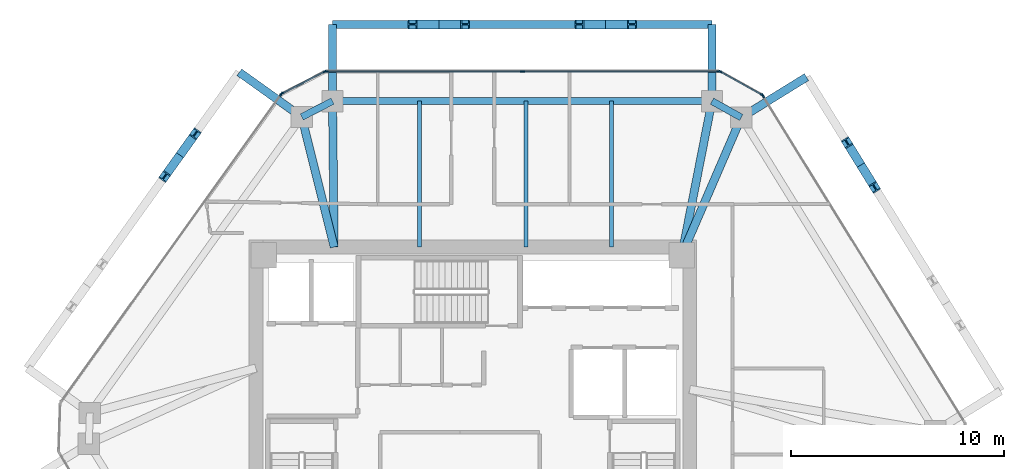
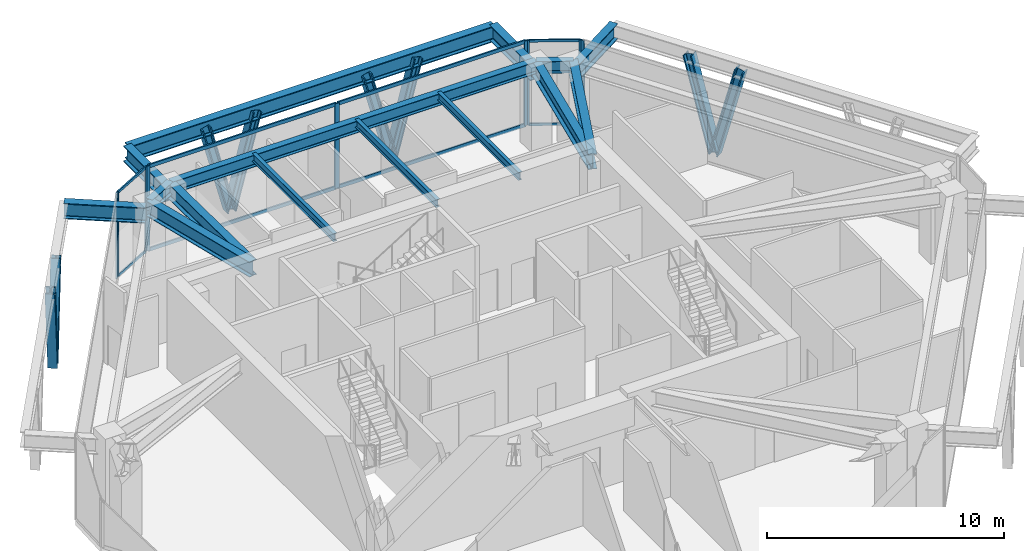
# One storey, part 6 of 12: 25 members, 15 beams, 5 elements without a shape of their own.
"""IFC4 building model written with IfcOpenShell, lengths in metres."""

from ifc_helpers import new_model, si_unit, direction, frame, origin, origin_2d, place, context, subcontext, project, spatial, rectangle, i_section, extrude, source, transform, mapped, material, layer, layer_set, material_profile, profile_set, type_object, type_shapes, element, aggregate, save


model = new_model("IFC4")

# Units and contexts
model_context = context("Model", 3, precision=1e-05, world=origin(), true_north=direction((0.0, 1.0)))
body_context = subcontext(model_context, "Body", "Model", "MODEL_VIEW")
ifc_project = project(units=[si_unit("LENGTHUNIT", "METRE"), si_unit("AREAUNIT", "SQUARE_METRE"), si_unit("VOLUMEUNIT", "CUBIC_METRE"), si_unit("PLANEANGLEUNIT", "RADIAN"), si_unit("MASSUNIT", "GRAM", prefix="KILO")], contexts=[model_context])

# Site, building, storey
site_placement = place(None, origin())
site = spatial("IfcSite", under=ifc_project, at=site_placement, CompositionType="ELEMENT")
building_placement = place(site_placement, origin())
building = spatial("IfcBuilding", under=site, at=building_placement, Name="Durnholm Broadcast Tower", CompositionType="ELEMENT")
storey_placement = place(building_placement, frame((0.0, 0.0, 162.60009765625)))
storey = spatial("IfcBuildingStorey", under=building, at=storey_placement, Name="L44", CompositionType="ELEMENT", Elevation=162.60009765625)

# Beams
ifc_material_1 = material(Name="Steel ASTM A992 Grade 50", Category="steel")
ifc_material_profile_1 = material_profile(ifc_material_1, i_section(OverallWidth=0.385009765625, OverallDepth=0.802978515625, WebThickness=0.023681640625, FlangeThickness=0.0419921875, FilletRadius=0.032958984375, at=origin_2d()), Name="W30X261")
ifc_profile_set_1 = profile_set([ifc_material_profile_1], Name="Steel ASTM A992 Grade 50")
beam_type_1 = type_object("IfcBeamType", Name="BM-EXO-TIE", PredefinedType="USERDEFINED", material=ifc_profile_set_1)
shared_shape_1 = source(origin(), body_context, "Body", "SweptSolid", [
    extrude(i_section(OverallWidth=0.385009765625, OverallDepth=0.802978515625, WebThickness=0.023681640625, FlangeThickness=0.0419921875, FilletRadius=0.032958984375, at=origin_2d()), origin(), (0.0, 0.0, 1.0), 3.4560546875),
])
for number, where, z_axis, x_axis, name in (
    (1, (12.713134765625, 14.327880859375, 3.6083984375), (0.850662348375, 0.525712439512, 0.0), (-0.525712439512, 0.850662348375, 0.0), "L44 exoskeleton stand-off tie bracket F3.2"),
    (2, (-8.138916015625, 14.360107421875, 3.6083984375), (-0.813079048773, 0.582153296346, 0.0), (-0.582153296346, -0.813079048773, 0.0), "L44 exoskeleton stand-off tie bracket F5.1"),
):
    element("IfcBeam", number, at=place(storey_placement, frame(where, z_axis=z_axis, x_axis=x_axis)), inside=storey, type_object=beam_type_1, Name=name, ObjectType="GIRDER", PredefinedType="USERDEFINED", context=body_context, shape_type="MappedRepresentation", body=[
        mapped(shared_shape_1, transform((0.0, 0.0, 0.0), x_axis=(1.0, 0.0, 0.0), y_axis=(0.0, 1.0, 0.0), z_axis=(0.0, 0.0, 1.0), scale=1.0)),
    ])
shared_shape_2 = source(origin(), body_context, "Body", "SweptSolid", [
    extrude(i_section(OverallWidth=0.385009765625, OverallDepth=0.802978515625, WebThickness=0.023681640625, FlangeThickness=0.0419921875, FilletRadius=0.032958984375, at=origin_2d()), origin(), (0.0, 0.0, 1.0), 3.455810546875),
])
for number, where, z_axis, x_axis, name in (
    (3, (11.217529296875, 15.162109375, 3.6083984375), (0.0, 1.0, 0.0), (-1.0, 0.0, 0.0), "L44 exoskeleton stand-off tie bracket F4.1"),
    (4, (-6.57861328125, 15.162109375, 3.6083984375), (0.0, 1.0, 0.0), (-1.0, 0.0, 0.0), "L44 exoskeleton stand-off tie bracket F4.2"),
):
    element("IfcBeam", number, at=place(storey_placement, frame(where, z_axis=z_axis, x_axis=x_axis)), inside=storey, type_object=beam_type_1, Name=name, ObjectType="GIRDER", PredefinedType="USERDEFINED", context=body_context, shape_type="MappedRepresentation", body=[
        mapped(shared_shape_2, transform((0.0, 0.0, 0.0), x_axis=(1.0, 0.0, 0.0), y_axis=(0.0, 1.0, 0.0), z_axis=(0.0, 0.0, 1.0), scale=1.0)),
    ])
ifc_material_profile_2 = material_profile(ifc_material_1, i_section(OverallWidth=0.3251953125, OverallDepth=0.6162109375, WebThickness=0.013916015625, FlangeThickness=0.021484375, FilletRadius=0.02783203125, at=origin_2d()), Name="W24X117")
ifc_profile_set_2 = profile_set([ifc_material_profile_2], Name="Steel ASTM A992 Grade 50")
beam_type_2 = type_object("IfcBeamType", Name="STL-SP-W24X117", PredefinedType="SPANDREL", material=ifc_profile_set_2)
shared_shape_3 = source(origin(), body_context, "Body", "SweptSolid", [
    extrude(i_section(OverallWidth=0.3251953125, OverallDepth=0.6162109375, WebThickness=0.013916015625, FlangeThickness=0.021484375, FilletRadius=0.02783203125, at=origin_2d()), origin(), (0.0, 0.0, 1.0), 1.62255859375),
])
beam_1_placement = place(storey_placement, frame((-8.021728515625, 14.2763671875, 4.036865234375), z_axis=(0.889406668864, 0.45711680934, 0.0), x_axis=(-0.45711680934, 0.889406668864, 0.0)))
element("IfcBeam", 5, at=beam_1_placement, inside=storey, type_object=beam_type_2, Name="L44 perimeter spandrel girder 04", PredefinedType="SPANDREL", context=body_context, shape_type="MappedRepresentation", body=[
    mapped(shared_shape_3, transform((0.0, 0.0, 0.0), x_axis=(1.0, 0.0, 0.0), y_axis=(0.0, 1.0, 0.0), z_axis=(0.0, 0.0, 1.0), scale=1.0)),
])
shared_shape_4 = source(origin(), body_context, "Body", "SweptSolid", [
    extrude(i_section(OverallWidth=0.3251953125, OverallDepth=0.6162109375, WebThickness=0.013916015625, FlangeThickness=0.021484375, FilletRadius=0.02783203125, at=origin_2d()), origin(), (0.0, 0.0, 1.0), 17.796142578125),
])
beam_2_placement = place(storey_placement, frame((-6.57861328125, 15.01806640625, 4.036865234375), z_axis=(1.0, 0.0, 0.0), x_axis=(0.0, 1.0, 0.0)))
element("IfcBeam", 6, at=beam_2_placement, inside=storey, type_object=beam_type_2, Name="L44 perimeter spandrel girder 05", PredefinedType="SPANDREL", context=body_context, shape_type="MappedRepresentation", body=[
    mapped(shared_shape_4, transform((0.0, 0.0, 0.0), x_axis=(1.0, 0.0, 0.0), y_axis=(0.0, 1.0, 0.0), z_axis=(0.0, 0.0, 1.0), scale=1.0)),
])
shared_shape_5 = source(origin(), body_context, "Body", "SweptSolid", [
    extrude(i_section(OverallWidth=0.3251953125, OverallDepth=0.6162109375, WebThickness=0.013916015625, FlangeThickness=0.021484375, FilletRadius=0.02783203125, at=origin_2d()), origin(), (0.0, 0.0, 1.0), 1.572509765625),
])
type_shapes(beam_type_2, [shared_shape_3, shared_shape_4, shared_shape_5])
beam_3_placement = place(storey_placement, frame((11.217529296875, 15.01806640625, 4.036865234375), z_axis=(0.873365144476, -0.487066037017, 0.0), x_axis=(0.487066037017, 0.873365144476, 0.0)))
element("IfcBeam", 7, at=beam_3_placement, inside=storey, type_object=beam_type_2, Name="L44 perimeter spandrel girder 06", PredefinedType="SPANDREL", context=body_context, shape_type="MappedRepresentation", body=[
    mapped(shared_shape_5, transform((0.0, 0.0, 0.0), x_axis=(1.0, 0.0, 0.0), y_axis=(0.0, 1.0, 0.0), z_axis=(0.0, 0.0, 1.0), scale=1.0)),
])
ifc_material_profile_3 = material_profile(ifc_material_1, i_section(OverallWidth=0.380615234375, OverallDepth=0.773193359375, WebThickness=0.0166015625, FlangeThickness=0.027099609375, FilletRadius=0.032958984375, at=origin_2d()), Name="W30X173")
ifc_profile_set_3 = profile_set([ifc_material_profile_3], Name="Steel ASTM A992 Grade 50")
beam_type_3 = type_object("IfcBeamType", Name="STL-GR-W30X173", PredefinedType="USERDEFINED", material=ifc_profile_set_3)
shared_shape_6 = source(origin(), body_context, "Body", "SweptSolid", [
    extrude(i_section(OverallWidth=0.380615234375, OverallDepth=0.773193359375, WebThickness=0.0166015625, FlangeThickness=0.027099609375, FilletRadius=0.032958984375, at=origin_2d()), origin(), (0.0, 0.0, 1.0), 7.35595703125),
])
beam_4_placement = place(storey_placement, frame((9.800048828125, 7.800048828125, 3.958251953125), z_axis=(0.192700221893, 0.981257674865, 0.0), x_axis=(-0.981257674865, 0.192700221893, 0.0)))
element("IfcBeam", 8, at=beam_4_placement, inside=storey, type_object=beam_type_3, Name="L44 radial primary floor girder 06", ObjectType="GIRDER", PredefinedType="USERDEFINED", context=body_context, shape_type="MappedRepresentation", body=[
    mapped(shared_shape_6, transform((0.0, 0.0, 0.0), x_axis=(1.0, 0.0, 0.0), y_axis=(0.0, 1.0, 0.0), z_axis=(0.0, 0.0, 1.0), scale=1.0)),
])
shared_shape_7 = source(origin(), body_context, "Body", "SweptSolid", [
    extrude(i_section(OverallWidth=0.380615234375, OverallDepth=0.773193359375, WebThickness=0.0166015625, FlangeThickness=0.027099609375, FilletRadius=0.032958984375, at=origin_2d()), origin(), (0.0, 0.0, 1.0), 7.02978515625),
])
beam_5_placement = place(storey_placement, frame((9.800048828125, 7.800048828125, 3.958251953125), z_axis=(0.396989434191, 0.91782317967, 0.0), x_axis=(-0.91782317967, 0.396989434191, 0.0)))
element("IfcBeam", 9, at=beam_5_placement, inside=storey, type_object=beam_type_3, Name="L44 radial primary floor girder 07", ObjectType="GIRDER", PredefinedType="USERDEFINED", context=body_context, shape_type="MappedRepresentation", body=[
    mapped(shared_shape_7, transform((0.0, 0.0, 0.0), x_axis=(1.0, 0.0, 0.0), y_axis=(0.0, 1.0, 0.0), z_axis=(0.0, 0.0, 1.0), scale=1.0)),
])
shared_shape_8 = source(origin(), body_context, "Body", "SweptSolid", [
    extrude(i_section(OverallWidth=0.385009765625, OverallDepth=0.802978515625, WebThickness=0.023681640625, FlangeThickness=0.0419921875, FilletRadius=0.032958984375, at=origin_2d()), origin(), (0.0, 0.0, 1.0), 17.796142578125),
])
type_shapes(beam_type_1, [shared_shape_1, shared_shape_2, shared_shape_8])
beam_6_placement = place(storey_placement, frame((11.217529296875, 18.617919921875, 3.6083984375), z_axis=(-1.0, 0.0, 0.0), x_axis=(0.0, -1.0, 0.0)))
element("IfcBeam", 10, at=beam_6_placement, inside=storey, type_object=beam_type_1, Name="L44 exoskeleton collector spandrel F4", PredefinedType="SPANDREL", context=body_context, shape_type="MappedRepresentation", body=[
    mapped(shared_shape_8, transform((0.0, 0.0, 0.0), x_axis=(1.0, 0.0, 0.0), y_axis=(0.0, 1.0, 0.0), z_axis=(0.0, 0.0, 1.0), scale=1.0)),
])
shared_shape_9 = source(origin(), body_context, "Body", "SweptSolid", [
    extrude(i_section(OverallWidth=0.380615234375, OverallDepth=0.773193359375, WebThickness=0.0166015625, FlangeThickness=0.027099609375, FilletRadius=0.032958984375, at=origin_2d()), origin(), (0.0, 0.0, 1.0), 6.288330078125),
])
beam_7_placement = place(storey_placement, frame((-6.5, 8.175048828125, 3.958251953125), z_axis=(-0.241996604408, 0.970277096223, 0.0), x_axis=(-0.970277096223, -0.241996604408, 0.0)))
element("IfcBeam", 11, at=beam_7_placement, inside=storey, type_object=beam_type_3, Name="L44 radial primary floor girder 04", ObjectType="GIRDER", PredefinedType="USERDEFINED", context=body_context, shape_type="MappedRepresentation", body=[
    mapped(shared_shape_9, transform((0.0, 0.0, 0.0), x_axis=(1.0, 0.0, 0.0), y_axis=(0.0, 1.0, 0.0), z_axis=(0.0, 0.0, 1.0), scale=1.0)),
])
shared_shape_10 = source(origin(), body_context, "Body", "SweptSolid", [
    extrude(i_section(OverallWidth=0.380615234375, OverallDepth=0.773193359375, WebThickness=0.0166015625, FlangeThickness=0.027099609375, FilletRadius=0.032958984375, at=origin_2d()), origin(), (0.0, 0.0, 1.0), 6.843505859375),
])
type_shapes(beam_type_3, [shared_shape_6, shared_shape_7, shared_shape_9, shared_shape_10])
beam_8_placement = place(storey_placement, frame((-6.5, 8.175048828125, 3.958251953125), z_axis=(-0.011487343604, 0.999934018292, 0.0), x_axis=(-0.999934018292, -0.011487343604, 0.0)))
element("IfcBeam", 12, at=beam_8_placement, inside=storey, type_object=beam_type_3, Name="L44 radial primary floor girder 05", ObjectType="GIRDER", PredefinedType="USERDEFINED", context=body_context, shape_type="MappedRepresentation", body=[
    mapped(shared_shape_10, transform((0.0, 0.0, 0.0), x_axis=(1.0, 0.0, 0.0), y_axis=(0.0, 1.0, 0.0), z_axis=(0.0, 0.0, 1.0), scale=1.0)),
])
ifc_material_profile_4 = material_profile(ifc_material_1, i_section(OverallWidth=0.177734375, OverallDepth=0.40673828125, WebThickness=0.0078125, FlangeThickness=0.0126953125, FilletRadius=0.01904296875, at=origin_2d()), Name="W16X40")
ifc_profile_set_4 = profile_set([ifc_material_profile_4], Name="Steel ASTM A992 Grade 50")
beam_type_4 = type_object("IfcBeamType", Name="STL-BJ-W16X40", PredefinedType="JOIST", material=ifc_profile_set_4)
shared_shape_11 = source(origin(), body_context, "Body", "SweptSolid", [
    extrude(i_section(OverallWidth=0.177734375, OverallDepth=0.40673828125, WebThickness=0.0078125, FlangeThickness=0.0126953125, FilletRadius=0.01904296875, at=origin_2d()), origin(), (0.0, 0.0, 1.0), 6.843017578125),
])
type_shapes(beam_type_4, [shared_shape_11])
for number, where, z_axis, x_axis, name in (
    (13, (-2.5, 8.175048828125, 4.1416015625), (0.0, 1.0, 0.0), (-1.0, 0.0, 0.0), "L44 secondary floor joist 5.2"),
    (14, (2.5, 8.175048828125, 4.1416015625), (0.0, 1.0, 0.0), (-1.0, 0.0, 0.0), "L44 secondary floor joist 6.2"),
    (15, (6.5, 8.175048828125, 4.1416015625), (0.0, 1.0, 0.0), (-1.0, 0.0, 0.0), "L44 secondary floor joist 7.2"),
):
    element("IfcBeam", number, at=place(storey_placement, frame(where, z_axis=z_axis, x_axis=x_axis)), inside=storey, type_object=beam_type_4, Name=name, PredefinedType="JOIST", context=body_context, shape_type="MappedRepresentation", body=[
        mapped(shared_shape_11, transform((0.0, 0.0, 0.0), x_axis=(1.0, 0.0, 0.0), y_axis=(0.0, 1.0, 0.0), z_axis=(0.0, 0.0, 1.0), scale=1.0)),
    ])

# Members
ifc_material_2 = material(Name="Steel ASTM A913 Grade 65", Category="steel")
ifc_material_profile_5 = material_profile(ifc_material_2, i_section(OverallWidth=0.412109375, OverallDepth=0.434814453125, WebThickness=0.035888671875, FlangeThickness=0.057373046875, FilletRadius=0.030517578125, at=origin_2d()), Name="W14X311")
ifc_profile_set_5 = profile_set([ifc_material_profile_5], Name="Steel ASTM A913 Grade 65")
member_type_1 = type_object("IfcMemberType", Name="STL-DG-W14X311", PredefinedType="BRACE", material=ifc_profile_set_5)
shared_shape_12 = source(origin(), body_context, "Body", "SweptSolid", [
    extrude(i_section(OverallWidth=0.412109375, OverallDepth=0.434814453125, WebThickness=0.035888671875, FlangeThickness=0.057373046875, FilletRadius=0.030517578125, at=origin_2d()), origin(), (0.0, 0.0, 1.0), 4.83984375),
])
type_shapes(member_type_1, [shared_shape_12])
for number, where, z_axis, x_axis, name in (
    (16, (18.2001953125, 12.023193359375, -1.071533203125), (0.133981278258, -0.216811571518, 0.96697557339), (0.85067825406, 0.525686701439, 0.0), "L44 stand-off diagrid brace F3.D2.1"),
    (17, (18.2001953125, 12.023193359375, -1.071533203125), (-0.134027884643, 0.216906249139, 0.966947881337), (-0.850699125742, -0.525652924906, 0.0), "L44 stand-off diagrid brace F3.D2.2"),
    (18, (6.234619140625, 18.617919921875, -1.071533203125), (0.254942691597, 0.0, 0.966956164467), (0.0, 1.0, 0.0), "L44 stand-off diagrid brace F4.D1.1"),
    (19, (6.234619140625, 18.617919921875, -1.071533203125), (-0.254942691597, 0.0, 0.966956164467), (0.0, -1.0, 0.0), "L44 stand-off diagrid brace F4.D1.2"),
    (20, (-1.595703125, 18.617919921875, -1.071533203125), (0.254942691597, 0.0, 0.966956164467), (0.0, 1.0, 0.0), "L44 stand-off diagrid brace F4.D2.1"),
    (21, (-1.595703125, 18.617919921875, -1.071533203125), (-0.254942691597, 0.0, 0.966956164467), (0.0, -1.0, 0.0), "L44 stand-off diagrid brace F4.D2.2"),
    (22, (-13.731689453125, 12.485595703125, -1.071533203125), (0.148406193474, 0.207274319845, 0.966960680727), (-0.813077820009, 0.582155012526, 0.0), "L44 stand-off diagrid brace F5.D1.1"),
    (23, (-13.731689453125, 12.485595703125, -1.071533203125), (-0.148406193474, -0.207274319845, 0.966960680727), (0.813077820009, -0.582155012526, 0.0), "L44 stand-off diagrid brace F5.D1.2"),
):
    element("IfcMember", number, at=place(storey_placement, frame(where, z_axis=z_axis, x_axis=x_axis)), inside=storey, type_object=member_type_1, Name=name, PredefinedType="BRACE", context=body_context, shape_type="MappedRepresentation", body=[
        mapped(shared_shape_12, transform((0.0, 0.0, 0.0), x_axis=(1.0, 0.0, 0.0), y_axis=(0.0, 1.0, 0.0), z_axis=(0.0, 0.0, 1.0), scale=1.0)),
    ])

# Curtain wall, members
ifc_material_3 = material(Name="Aluminium and Solar Control IGU", Category="aluminium")
ifc_layer_1 = layer(ifc_material_3, 0.1650390625)
ifc_layer_set_1 = layer_set([ifc_layer_1], Name="Aluminium and Solar Control IGU")
curtain_wall_type_1 = type_object("IfcCurtainWallType", Name="CW-SYS-5", PredefinedType="NOTDEFINED", material=ifc_layer_set_1)
curtain_wall_1_placement = place(storey_placement, origin())
curtain_wall_1 = element("IfcCurtainWall", 24, at=curtain_wall_1_placement, inside=storey, type_object=curtain_wall_type_1, Name="L44 curtain wall CW-CORNER CW-L44-CRN-03", PredefinedType="NOTDEFINED")
ifc_material_4 = material(Name="Aluminium 6063-T6", Category="aluminium")
ifc_material_profile_6 = material_profile(ifc_material_4, rectangle(XDim=0.06494140625, YDim=0.1298828125, at=origin_2d()), Name="CWT65X130")
ifc_profile_set_6 = profile_set([ifc_material_profile_6], Name="Aluminium 6063-T6")
member_type_2 = type_object("IfcMemberType", Name="CW-SYS-5-TRN", PredefinedType="USERDEFINED", material=ifc_profile_set_6)
shared_shape_13 = source(origin(), body_context, "Body", "SweptSolid", [
    extrude(rectangle(XDim=0.06494140625, YDim=0.1298828125, at=origin_2d()), origin(), (0.0, 0.0, 1.0), 2.169921875),
])
type_shapes(member_type_2, [shared_shape_13])
member_1_placement = place(storey_placement, frame((-8.9052734375, 15.396484375, 0.032470703125), z_axis=(0.889468148591, 0.456997169185, 0.0), x_axis=(-0.456997169185, 0.889468148591, 0.0)))
member_1 = element("IfcMember", 25, at=member_1_placement, type_object=member_type_2, Name="CW-CORNER transom 1.1", ObjectType="TRANSOM", PredefinedType="USERDEFINED", context=body_context, shape_type="MappedRepresentation", body=[
    mapped(shared_shape_13, transform((0.0, 0.0, 0.0), x_axis=(1.0, 0.0, 0.0), y_axis=(0.0, 1.0, 0.0), z_axis=(0.0, 0.0, 1.0), scale=1.0)),
])
member_2_placement = place(storey_placement, frame((-8.9052734375, 15.396484375, 4.327392578125), z_axis=(0.889468148591, 0.456997169185, 0.0), x_axis=(-0.456997169185, 0.889468148591, 0.0)))
member_2 = element("IfcMember", 26, at=member_2_placement, type_object=member_type_2, Name="CW-CORNER transom 1.2", ObjectType="TRANSOM", PredefinedType="USERDEFINED", context=body_context, shape_type="MappedRepresentation", body=[
    mapped(shared_shape_13, transform((0.0, 0.0, 0.0), x_axis=(1.0, 0.0, 0.0), y_axis=(0.0, 1.0, 0.0), z_axis=(0.0, 0.0, 1.0), scale=1.0)),
])

curtain_wall_2_placement = place(storey_placement, origin())
curtain_wall_2 = element("IfcCurtainWall", 27, at=curtain_wall_2_placement, inside=storey, type_object=curtain_wall_type_1, Name="L44 curtain wall CW-CORNER CW-L44-CRN-05", PredefinedType="NOTDEFINED")
member_3_placement = place(storey_placement, frame((11.63818359375, 16.38623046875, 0.032470703125), z_axis=(0.873429215361, -0.48695113282, 0.0), x_axis=(0.48695113282, 0.873429215361, 0.0)))
member_3 = element("IfcMember", 28, at=member_3_placement, type_object=member_type_2, Name="CW-CORNER transom 1.1", ObjectType="TRANSOM", PredefinedType="USERDEFINED", context=body_context, shape_type="MappedRepresentation", body=[
    mapped(shared_shape_13, transform((0.0, 0.0, 0.0), x_axis=(1.0, 0.0, 0.0), y_axis=(0.0, 1.0, 0.0), z_axis=(0.0, 0.0, 1.0), scale=1.0)),
])
member_4_placement = place(storey_placement, frame((11.63818359375, 16.38623046875, 4.327392578125), z_axis=(0.873429215361, -0.48695113282, 0.0), x_axis=(0.48695113282, 0.873429215361, 0.0)))
member_4 = element("IfcMember", 29, at=member_4_placement, type_object=member_type_2, Name="CW-CORNER transom 1.2", ObjectType="TRANSOM", PredefinedType="USERDEFINED", context=body_context, shape_type="MappedRepresentation", body=[
    mapped(shared_shape_13, transform((0.0, 0.0, 0.0), x_axis=(1.0, 0.0, 0.0), y_axis=(0.0, 1.0, 0.0), z_axis=(0.0, 0.0, 1.0), scale=1.0)),
])

ifc_layer_2 = layer(ifc_material_3, 0.219970703125)
ifc_layer_set_2 = layer_set([ifc_layer_2], Name="Aluminium and Solar Control IGU")
curtain_wall_type_2 = type_object("IfcCurtainWallType", Name="CW-SYS-6", PredefinedType="NOTDEFINED", material=ifc_layer_set_2)
curtain_wall_3_placement = place(storey_placement, origin())
curtain_wall_3 = element("IfcCurtainWall", 30, at=curtain_wall_3_placement, inside=storey, type_object=curtain_wall_type_2, Name="L44 curtain wall CW-AMENITY CW-L44-F04", PredefinedType="NOTDEFINED")
ifc_material_profile_7 = material_profile(ifc_material_4, rectangle(XDim=0.074951171875, YDim=0.179931640625, at=origin_2d()), Name="CWT75X180")
ifc_profile_set_7 = profile_set([ifc_material_profile_7], Name="Aluminium 6063-T6")
member_type_3 = type_object("IfcMemberType", Name="CW-SYS-6-TRN", PredefinedType="USERDEFINED", material=ifc_profile_set_7)
shared_shape_14 = source(origin(), body_context, "Body", "SweptSolid", [
    extrude(rectangle(XDim=0.074951171875, YDim=0.179931640625, at=origin_2d()), origin(), (0.0, 0.0, 1.0), 9.13671875),
])
type_shapes(member_type_3, [shared_shape_14])
member_5_placement = place(storey_placement, frame((-6.84228515625, 16.41796875, 0.037353515625), z_axis=(1.0, 0.0, 0.0), x_axis=(0.0, 1.0, 0.0)))
member_5 = element("IfcMember", 31, at=member_5_placement, type_object=member_type_3, Name="CW-AMENITY transom 1.1", ObjectType="TRANSOM", PredefinedType="USERDEFINED", context=body_context, shape_type="MappedRepresentation", body=[
    mapped(shared_shape_14, transform((0.0, 0.0, 0.0), x_axis=(1.0, 0.0, 0.0), y_axis=(0.0, 1.0, 0.0), z_axis=(0.0, 0.0, 1.0), scale=1.0)),
])
member_6_placement = place(storey_placement, frame((-6.84228515625, 16.41796875, 4.322509765625), z_axis=(1.0, 0.0, 0.0), x_axis=(0.0, 1.0, 0.0)))
member_6 = element("IfcMember", 32, at=member_6_placement, type_object=member_type_3, Name="CW-AMENITY transom 1.2", ObjectType="TRANSOM", PredefinedType="USERDEFINED", context=body_context, shape_type="MappedRepresentation", body=[
    mapped(shared_shape_14, transform((0.0, 0.0, 0.0), x_axis=(1.0, 0.0, 0.0), y_axis=(0.0, 1.0, 0.0), z_axis=(0.0, 0.0, 1.0), scale=1.0)),
])
member_7_placement = place(storey_placement, frame((2.36962890625, 16.41796875, 0.037353515625), z_axis=(1.0, 0.0, 0.0), x_axis=(0.0, 1.0, 0.0)))
member_7 = element("IfcMember", 33, at=member_7_placement, type_object=member_type_3, Name="CW-AMENITY transom 2.1", ObjectType="TRANSOM", PredefinedType="USERDEFINED", context=body_context, shape_type="MappedRepresentation", body=[
    mapped(shared_shape_14, transform((0.0, 0.0, 0.0), x_axis=(1.0, 0.0, 0.0), y_axis=(0.0, 1.0, 0.0), z_axis=(0.0, 0.0, 1.0), scale=1.0)),
])
member_8_placement = place(storey_placement, frame((2.36962890625, 16.41796875, 4.322509765625), z_axis=(1.0, 0.0, 0.0), x_axis=(0.0, 1.0, 0.0)))
member_8 = element("IfcMember", 34, at=member_8_placement, type_object=member_type_3, Name="CW-AMENITY transom 2.2", ObjectType="TRANSOM", PredefinedType="USERDEFINED", context=body_context, shape_type="MappedRepresentation", body=[
    mapped(shared_shape_14, transform((0.0, 0.0, 0.0), x_axis=(1.0, 0.0, 0.0), y_axis=(0.0, 1.0, 0.0), z_axis=(0.0, 0.0, 1.0), scale=1.0)),
])

# Member
ifc_material_profile_8 = material_profile(ifc_material_4, rectangle(XDim=0.06494140625, YDim=0.1650390625, at=origin_2d()), Name="CWM65X165")
ifc_profile_set_8 = profile_set([ifc_material_profile_8], Name="Aluminium 6063-T6")
member_type_4 = type_object("IfcMemberType", Name="CW-SYS-5-MUL", PredefinedType="MULLION", material=ifc_profile_set_8)
shared_shape_15 = source(origin(), body_context, "Body", "SweptSolid", [
    extrude(rectangle(XDim=0.06494140625, YDim=0.1650390625, at=origin_2d()), origin(), (0.0, 0.0, 1.0), 4.35986328125),
])
type_shapes(member_type_4, [shared_shape_15])
member_9_placement = place(storey_placement, frame((-8.93408203125, 15.381591796875, 0.0), z_axis=(0.0, 0.0, 1.0), x_axis=(-0.457081764476, 0.889424679545, 0.0)))
member_9 = element("IfcMember", 35, at=member_9_placement, type_object=member_type_4, Name="CW-CORNER mullion 1", PredefinedType="MULLION", context=body_context, shape_type="MappedRepresentation", body=[
    mapped(shared_shape_15, transform((0.0, 0.0, 0.0), x_axis=(1.0, 0.0, 0.0), y_axis=(0.0, 1.0, 0.0), z_axis=(0.0, 0.0, 1.0), scale=1.0)),
])

member_10_placement = place(storey_placement, frame((-6.9462890625, 16.403076171875, 0.0), z_axis=(0.0, 0.0, 1.0), x_axis=(-0.457081764476, 0.889424679545, 0.0)))
member_10 = element("IfcMember", 36, at=member_10_placement, type_object=member_type_4, Name="CW-CORNER mullion 2", PredefinedType="MULLION", context=body_context, shape_type="MappedRepresentation", body=[
    mapped(shared_shape_15, transform((0.0, 0.0, 0.0), x_axis=(1.0, 0.0, 0.0), y_axis=(0.0, 1.0, 0.0), z_axis=(0.0, 0.0, 1.0), scale=1.0)),
])

aggregate(curtain_wall_1, [member_9, member_10, member_1, member_2])

member_11_placement = place(storey_placement, frame((11.60986328125, 16.402099609375, 0.0), z_axis=(0.0, 0.0, 1.0), x_axis=(0.486986043316, 0.873409751271, 0.0)))
member_11 = element("IfcMember", 37, at=member_11_placement, type_object=member_type_4, Name="CW-CORNER mullion 1", PredefinedType="MULLION", context=body_context, shape_type="MappedRepresentation", body=[
    mapped(shared_shape_15, transform((0.0, 0.0, 0.0), x_axis=(1.0, 0.0, 0.0), y_axis=(0.0, 1.0, 0.0), z_axis=(0.0, 0.0, 1.0), scale=1.0)),
])

member_12_placement = place(storey_placement, frame((13.56201171875, 15.313720703125, 0.0), z_axis=(0.0, 0.0, 1.0), x_axis=(0.486986043316, 0.873409751271, 0.0)))
member_12 = element("IfcMember", 38, at=member_12_placement, type_object=member_type_4, Name="CW-CORNER mullion 2", PredefinedType="MULLION", context=body_context, shape_type="MappedRepresentation", body=[
    mapped(shared_shape_15, transform((0.0, 0.0, 0.0), x_axis=(1.0, 0.0, 0.0), y_axis=(0.0, 1.0, 0.0), z_axis=(0.0, 0.0, 1.0), scale=1.0)),
])

aggregate(curtain_wall_2, [member_11, member_12, member_3, member_4])

# Curtain wall, member
curtain_wall_4_placement = place(storey_placement, origin())
curtain_wall_4 = element("IfcCurtainWall", 39, at=curtain_wall_4_placement, inside=storey, type_object=curtain_wall_type_2, Name="L44 curtain wall CW-AMENITY CW-L44-F02", PredefinedType="NOTDEFINED")
ifc_material_profile_9 = material_profile(ifc_material_4, rectangle(XDim=0.074951171875, YDim=0.219970703125, at=origin_2d()), Name="CWM75X220")
ifc_profile_set_9 = profile_set([ifc_material_profile_9], Name="Aluminium 6063-T6")
member_type_5 = type_object("IfcMemberType", Name="CW-SYS-6-MUL", PredefinedType="MULLION", material=ifc_profile_set_9)
shared_shape_16 = source(origin(), body_context, "Body", "SweptSolid", [
    extrude(rectangle(XDim=0.074951171875, YDim=0.219970703125, at=origin_2d()), origin(), (0.0, 0.0, 1.0), 4.35986328125),
])
type_shapes(member_type_5, [shared_shape_16])
member_13_placement = place(storey_placement, frame((-8.98486328125, 15.336181640625, 0.0), z_axis=(0.0, 0.0, 1.0), x_axis=(-0.813089262696, 0.582139030549, 0.0)))
member_13 = element("IfcMember", 40, at=member_13_placement, type_object=member_type_5, Name="CW-AMENITY mullion 2", PredefinedType="MULLION", context=body_context, shape_type="MappedRepresentation", body=[
    mapped(shared_shape_16, transform((0.0, 0.0, 0.0), x_axis=(1.0, 0.0, 0.0), y_axis=(0.0, 1.0, 0.0), z_axis=(0.0, 0.0, 1.0), scale=1.0)),
])
aggregate(curtain_wall_4, [member_13])

# Member
member_14_placement = place(storey_placement, frame((-6.8798828125, 16.41796875, 0.0), z_axis=(0.0, 0.0, 1.0), x_axis=(0.0, 1.0, 0.0)))
member_14 = element("IfcMember", 41, at=member_14_placement, type_object=member_type_5, Name="CW-AMENITY mullion 1", PredefinedType="MULLION", context=body_context, shape_type="MappedRepresentation", body=[
    mapped(shared_shape_16, transform((0.0, 0.0, 0.0), x_axis=(1.0, 0.0, 0.0), y_axis=(0.0, 1.0, 0.0), z_axis=(0.0, 0.0, 1.0), scale=1.0)),
])

member_15_placement = place(storey_placement, frame((2.33203125, 16.41796875, 0.0), z_axis=(0.0, 0.0, 1.0), x_axis=(0.0, 1.0, 0.0)))
member_15 = element("IfcMember", 42, at=member_15_placement, type_object=member_type_5, Name="CW-AMENITY mullion 2", PredefinedType="MULLION", context=body_context, shape_type="MappedRepresentation", body=[
    mapped(shared_shape_16, transform((0.0, 0.0, 0.0), x_axis=(1.0, 0.0, 0.0), y_axis=(0.0, 1.0, 0.0), z_axis=(0.0, 0.0, 1.0), scale=1.0)),
])

member_16_placement = place(storey_placement, frame((11.5439453125, 16.41796875, 0.0), z_axis=(0.0, 0.0, 1.0), x_axis=(0.0, 1.0, 0.0)))
member_16 = element("IfcMember", 43, at=member_16_placement, type_object=member_type_5, Name="CW-AMENITY mullion 3", PredefinedType="MULLION", context=body_context, shape_type="MappedRepresentation", body=[
    mapped(shared_shape_16, transform((0.0, 0.0, 0.0), x_axis=(1.0, 0.0, 0.0), y_axis=(0.0, 1.0, 0.0), z_axis=(0.0, 0.0, 1.0), scale=1.0)),
])

aggregate(curtain_wall_3, [member_14, member_15, member_16, member_5, member_6, member_7, member_8])

# Curtain wall, member
curtain_wall_5_placement = place(storey_placement, origin())
curtain_wall_5 = element("IfcCurtainWall", 44, at=curtain_wall_5_placement, inside=storey, type_object=curtain_wall_type_2, Name="L44 curtain wall CW-AMENITY CW-L44-F06", PredefinedType="NOTDEFINED")
member_17_placement = place(storey_placement, frame((13.610107421875, 15.26611328125, 0.0), z_axis=(0.0, 0.0, 1.0), x_axis=(0.850671426092, 0.525697750452, 0.0)))
member_17 = element("IfcMember", 45, at=member_17_placement, type_object=member_type_5, Name="CW-AMENITY mullion 1", PredefinedType="MULLION", context=body_context, shape_type="MappedRepresentation", body=[
    mapped(shared_shape_16, transform((0.0, 0.0, 0.0), x_axis=(1.0, 0.0, 0.0), y_axis=(0.0, 1.0, 0.0), z_axis=(0.0, 0.0, 1.0), scale=1.0)),
])
aggregate(curtain_wall_5, [member_17])

save(model, "model.ifc")
